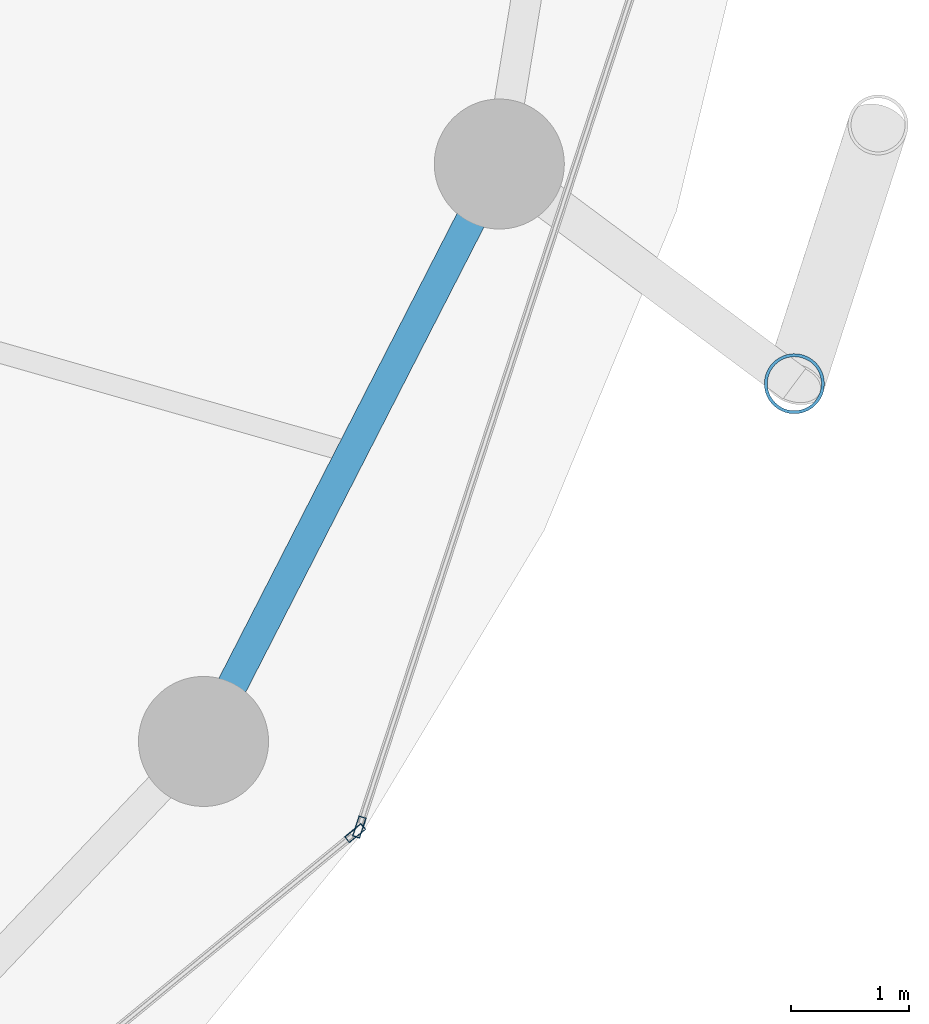
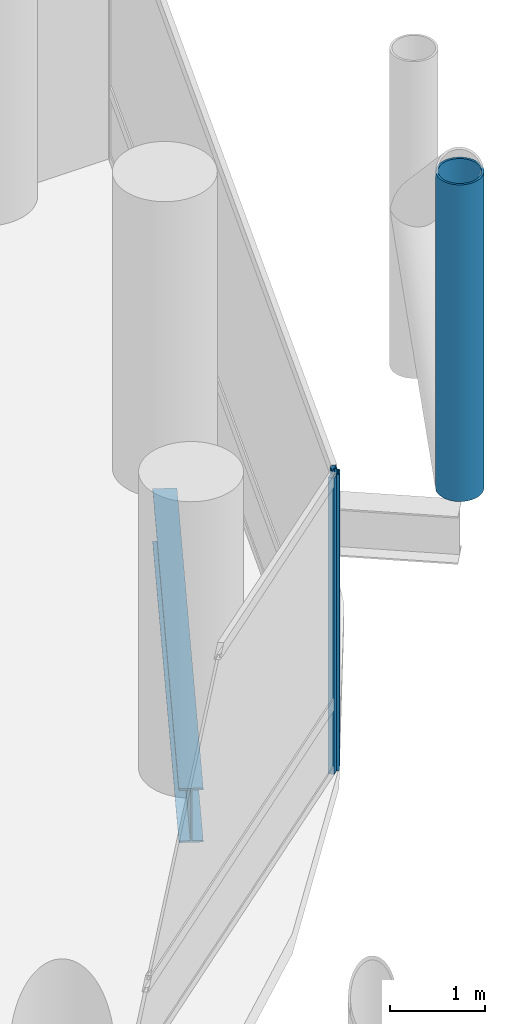
# One storey, part 10 of 25: 3 members, 1 beam, 2 elements without a shape of their own.
"""IFC4 building model written with IfcOpenShell, lengths in metres."""

from ifc_helpers import new_model, si_unit, direction, frame, origin, origin_2d, place, context, subcontext, project, spatial, hollow_rectangle, hollow_circle, i_section, extrude, material, layer, layer_set, material_profile, profile_set, type_object, element, aggregate, save


model = new_model("IFC4")

# Units and contexts
model_context = context("Model", 3, precision=1e-05, world=origin(), true_north=direction((0.0, 1.0)))
body_context = subcontext(model_context, "Body", "Model", "MODEL_VIEW")
ifc_project = project(units=[si_unit("LENGTHUNIT", "METRE"), si_unit("AREAUNIT", "SQUARE_METRE"), si_unit("VOLUMEUNIT", "CUBIC_METRE"), si_unit("PLANEANGLEUNIT", "RADIAN"), si_unit("MASSUNIT", "GRAM", prefix="KILO")], contexts=[model_context])

# Site, building, storey
site_placement = place(None, origin())
site = spatial("IfcSite", under=ifc_project, at=site_placement, CompositionType="ELEMENT")
building_placement = place(site_placement, origin())
building = spatial("IfcBuilding", under=site, at=building_placement, Name="Nuhasar Tower", CompositionType="ELEMENT")
storey_placement = place(building_placement, frame((0.0, 0.0, 49.35009765625)))
storey = spatial("IfcBuildingStorey", under=building, at=storey_placement, Name="L11", CompositionType="ELEMENT", Elevation=49.35009765625)

# Beam
ifc_material_1 = material(Name="Steel S355", Category="steel")
ifc_material_profile_1 = material_profile(ifc_material_1, i_section(OverallWidth=0.256103515625, OverallDepth=0.693115234375, WebThickness=0.014404296875, FlangeThickness=0.023681640625, at=origin_2d()), Name="W27X114")
ifc_profile_set_1 = profile_set([ifc_material_profile_1], Name="Steel S355")
beam_type = type_object("IfcBeamType", Name="BM-RING-W27X114", PredefinedType="SPANDREL", material=ifc_profile_set_1)
beam_placement = place(storey_placement, frame((60.694091796875, 16.675048828125, -0.606201171875), z_axis=(0.455930023905, 0.890015625314, 0.0), x_axis=(-0.890015625314, 0.455930023905, 0.0)))
element("IfcBeam", 1, at=beam_placement, inside=storey, type_object=beam_type, Name="L11 Perimeter Ring Spandrel 23", PredefinedType="SPANDREL", context=body_context, shape_type="SweptSolid", body=[
    extrude(i_section(OverallWidth=0.256103515625, OverallDepth=0.693115234375, WebThickness=0.014404296875, FlangeThickness=0.023681640625, at=origin_2d()), origin(), (0.0, 0.0, 1.0), 5.487548828125),
])

# Curtain wall, member
ifc_material_2 = material(Name="Aluminium 6063-T6", Category="aluminium")
ifc_layer = layer(ifc_material_2, 0.199951171875)
ifc_layer_set = layer_set([ifc_layer], Name="Aluminium 6063-T6")
curtain_wall_type = type_object("IfcCurtainWallType", Name="CW-Z1-OFF", PredefinedType="NOTDEFINED", material=ifc_layer_set)
curtain_wall_1_placement = place(storey_placement, origin())
curtain_wall_1 = element("IfcCurtainWall", 2, at=curtain_wall_1_placement, inside=storey, type_object=curtain_wall_type, Name="L11 Unitised Curtain Wall 11", PredefinedType="NOTDEFINED")
ifc_material_profile_2 = material_profile(ifc_material_2, hollow_rectangle(XDim=0.06494140625, YDim=0.179931640625, WallThickness=0.0048828125, at=origin_2d()), Name="CWM-2")
ifc_profile_set_2 = profile_set([ifc_material_profile_2], Name="Aluminium 6063-T6")
member_type_1 = type_object("IfcMemberType", Name="CW-MUL-S2", PredefinedType="MULLION", material=ifc_profile_set_2)
member_1_placement = place(storey_placement, frame((61.976806640625, 15.8994140625, 0.0), z_axis=(0.0, 0.0, 1.0), x_axis=(-0.633744593376, 0.773542364946, 0.0)))
member_1 = element("IfcMember", 3, at=member_1_placement, type_object=member_type_1, Name="CW-Z1 mullion 2", PredefinedType="MULLION", context=body_context, shape_type="SweptSolid", body=[
    extrude(hollow_rectangle(XDim=0.06494140625, YDim=0.179931640625, WallThickness=0.0048828125, at=origin_2d()), origin(), (0.0, 0.0, 1.0), 3.789794921875),
])
aggregate(curtain_wall_1, [member_1])

curtain_wall_2_placement = place(storey_placement, origin())
curtain_wall_2 = element("IfcCurtainWall", 4, at=curtain_wall_2_placement, inside=storey, type_object=curtain_wall_type, Name="L11 Unitised Curtain Wall 12", PredefinedType="NOTDEFINED")
member_2_placement = place(storey_placement, frame((62.01220703125, 15.950927734375, 0.0), z_axis=(0.0, 0.0, 1.0), x_axis=(-0.950467534571, 0.310823849997, 0.0)))
member_2 = element("IfcMember", 5, at=member_2_placement, type_object=member_type_1, Name="CW-Z1 mullion 1", PredefinedType="MULLION", context=body_context, shape_type="SweptSolid", body=[
    extrude(hollow_rectangle(XDim=0.06494140625, YDim=0.179931640625, WallThickness=0.0048828125, at=origin_2d()), origin(), (0.0, 0.0, 1.0), 3.789794921875),
])
aggregate(curtain_wall_2, [member_2])

# Member
ifc_material_3 = material(Name="Steel S460", Category="steel")
ifc_material_profile_3 = material_profile(ifc_material_3, hollow_circle(Radius=0.25390625, WallThickness=0.025390625, at=origin_2d()), Name="HSS508X25.4")
ifc_profile_set_3 = profile_set([ifc_material_profile_3], Name="Steel S460")
member_type_2 = type_object("IfcMemberType", Name="EXO-BRONZE-508", PredefinedType="BRACE", material=ifc_profile_set_3)
member_3_placement = place(storey_placement, frame((65.69189453125, 19.700927734375, 0.0), z_axis=(0.0, 0.0, 1.0), x_axis=(1.0, 0.0, 0.0)))
element("IfcMember", 6, at=member_3_placement, inside=storey, type_object=member_type_2, Name="L11 Exoskeleton Chord Column EC-12A", PredefinedType="BRACE", context=body_context, shape_type="SweptSolid", body=[
    extrude(hollow_circle(Radius=0.25390625, WallThickness=0.025390625, at=origin_2d()), origin(), (0.0, 0.0, 1.0), 4.0498046875),
])

save(model, "model.ifc")
